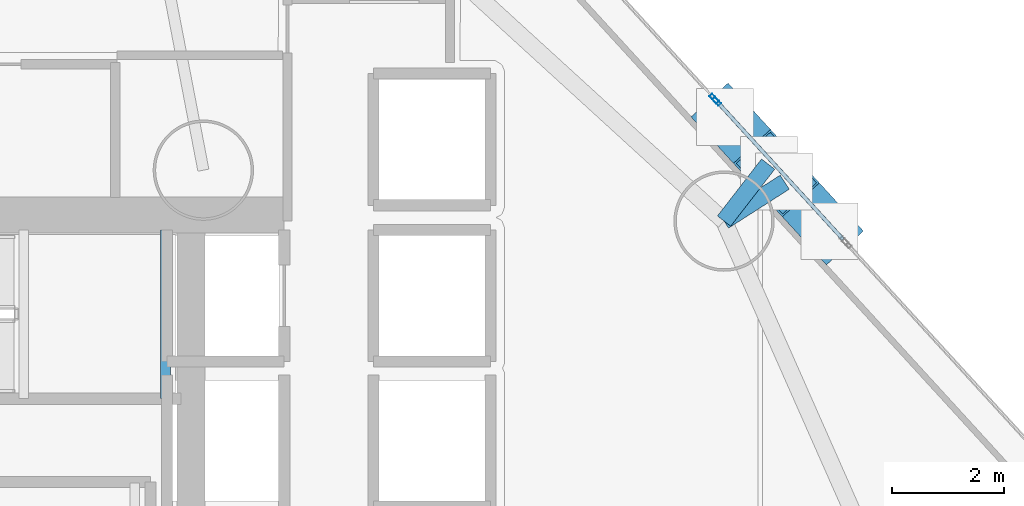
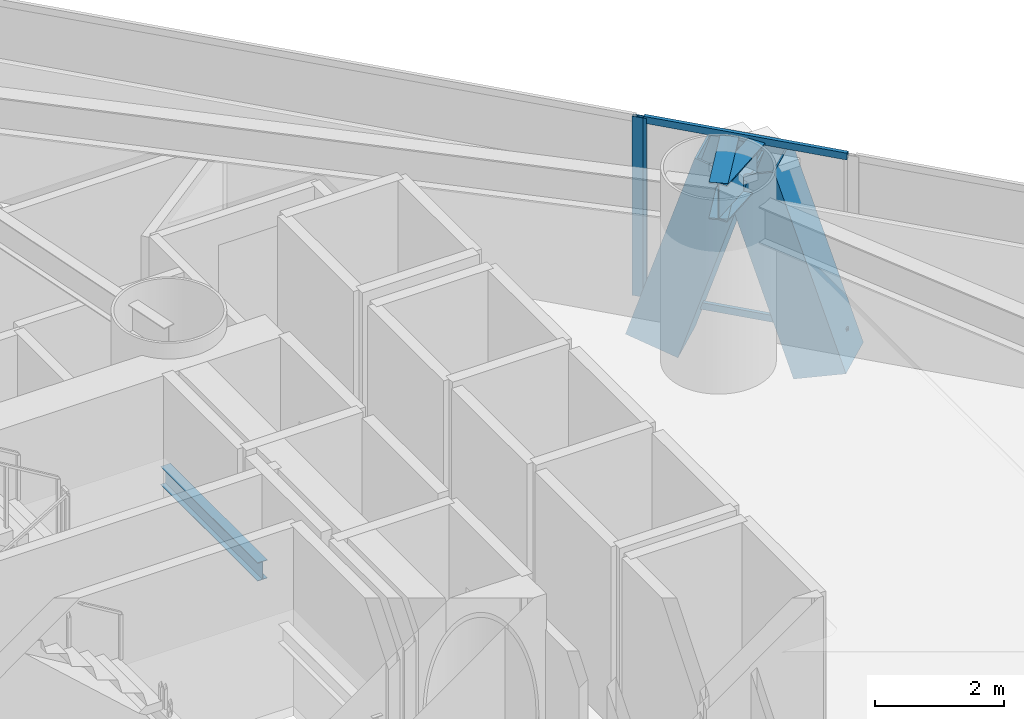
# One storey, part 10 of 22: 6 members, 3 beams, 2 elements without a shape of their own.
"""IFC4 building model written with IfcOpenShell, lengths in metres."""

from ifc_helpers import new_model, si_unit, direction, frame, origin, origin_2d, place, context, subcontext, project, spatial, hollow_rectangle, i_section, extrude, material, layer, layer_set, material_profile, profile_set, type_object, element, aggregate, save


model = new_model("IFC4")

# Units and contexts
model_context = context("Model", 3, precision=1e-05, world=origin(), true_north=direction((0.0, 1.0)))
body_context = subcontext(model_context, "Body", "Model", "MODEL_VIEW")
ifc_project = project(units=[si_unit("LENGTHUNIT", "METRE"), si_unit("AREAUNIT", "SQUARE_METRE"), si_unit("VOLUMEUNIT", "CUBIC_METRE"), si_unit("PLANEANGLEUNIT", "RADIAN"), si_unit("MASSUNIT", "GRAM", prefix="KILO")], contexts=[model_context])

# Site, building, storey
site_placement = place(None, origin())
site = spatial("IfcSite", under=ifc_project, at=site_placement, CompositionType="ELEMENT")
building_placement = place(site_placement, origin())
building = spatial("IfcBuilding", under=site, at=building_placement, Name="Qianvela Tower", CompositionType="ELEMENT")
storey_placement = place(building_placement, frame((0.0, 0.0, 44.199951171875)))
storey = spatial("IfcBuildingStorey", under=building, at=storey_placement, Name="L10", CompositionType="ELEMENT", Elevation=44.199951171875)

# Beams
ifc_material_1 = material(Name="Steel Q355B", Category="steel")
ifc_material_profile_1 = material_profile(ifc_material_1, i_section(OverallWidth=0.175048828125, OverallDepth=0.35009765625, WebThickness=0.007080078125, FlangeThickness=0.010986328125, at=origin_2d()), Name="HN350x175x7x11")
ifc_profile_set_1 = profile_set([ifc_material_profile_1], Name="Steel Q355B")
beam_type_1 = type_object("IfcBeamType", Name="BM-HN350-JOIST", PredefinedType="JOIST", material=ifc_profile_set_1)
beam_placement = place(storey_placement, frame((37.719970703125, 29.4599609375, 1.47509765625), z_axis=(0.0, 1.0, 0.0), x_axis=(-1.0, 0.0, 0.0)))
element("IfcBeam", 1, at=beam_placement, inside=storey, type_object=beam_type_1, Name="L10 Stair ST-1 Landing Support Beam 1.2", PredefinedType="JOIST", context=body_context, shape_type="SweptSolid", body=[
    extrude(i_section(OverallWidth=0.175048828125, OverallDepth=0.35009765625, WebThickness=0.007080078125, FlangeThickness=0.010986328125, at=origin_2d()), origin(), (0.0, 0.0, 1.0), 3.02001953125),
])
ifc_material_2 = material(Name="Steel Q355B", Category="steel")
ifc_material_profile_2 = material_profile(ifc_material_2, i_section(OverallWidth=0.300048828125, OverallDepth=0.699951171875, WebThickness=0.012939453125, FlangeThickness=0.02392578125, at=origin_2d()), Name="HN700x300x13x24")
ifc_profile_set_2 = profile_set([ifc_material_profile_2], Name="Steel Q355B")
beam_type_2 = type_object("IfcBeamType", Name="BM-HN700-SPAND", PredefinedType="SPANDREL", material=ifc_profile_set_2)
for number, where, z_axis, x_axis, name in (
    (2, (47.736083984375, 32.636962890625, 3.048095703125), (0.842055169355, 0.539391408685, 0.0), (-0.539391408685, 0.842055169355, 0.0), "L10 Mega-Brace Column Tie Bracket F1-1"),
    (3, (47.736083984375, 32.636962890625, 3.048095703125), (0.612173192991, 0.790723707614, 0.0), (-0.790723707614, 0.612173192991, 0.0), "L10 Mega-Brace Column Tie Bracket F1-2"),
):
    element("IfcBeam", number, at=place(storey_placement, frame(where, z_axis=z_axis, x_axis=x_axis)), inside=storey, type_object=beam_type_2, Name=name, PredefinedType="SPANDREL", context=body_context, shape_type="SweptSolid", body=[
        extrude(i_section(OverallWidth=0.300048828125, OverallDepth=0.699951171875, WebThickness=0.012939453125, FlangeThickness=0.02392578125, at=origin_2d()), origin(), (0.0, 0.0, 1.0), 1.292236328125),
    ])

# Curtain wall, members
ifc_material_3 = material(Name="Anodised Architectural Aluminium and Insulated Spandrel Panel", Category="aluminium")
ifc_layer_1 = layer(ifc_material_3, 0.179931640625)
ifc_layer_set_1 = layer_set([ifc_layer_1], Name="Anodised Architectural Aluminium and Insulated Spandrel Panel")
curtain_wall_type_1 = type_object("IfcCurtainWallType", Name="CW-BRACEBAY", PredefinedType="USERDEFINED", material=ifc_layer_set_1)
curtain_wall_1_placement = place(storey_placement, origin())
curtain_wall_1 = element("IfcCurtainWall", 4, at=curtain_wall_1_placement, inside=storey, type_object=curtain_wall_type_1, Name="L10 CW-BRACEBAY Curtain Wall 02B", ObjectType="CURTAIN_WALL_SYSTEM", PredefinedType="USERDEFINED")
ifc_material_4 = material(Name="Anodised Architectural Aluminium 6063-T6", Category="aluminium")
ifc_material_profile_3 = material_profile(ifc_material_4, hollow_rectangle(XDim=0.06494140625, YDim=0.159912109375, WallThickness=0.0048828125, at=origin_2d()), Name="ALU-MULL-65x160")
ifc_profile_set_3 = profile_set([ifc_material_profile_3], Name="Anodised Architectural Aluminium 6063-T6")
member_type_1 = type_object("IfcMemberType", Name="CW-BRACEBAY-MULL", PredefinedType="MULLION", material=ifc_profile_set_3)
member_1_placement = place(storey_placement, frame((47.6064453125, 34.7841796875, 0.0), z_axis=(0.0, 0.0, 1.0), x_axis=(-0.737898470457, -0.674911732968, 0.0)))
member_1 = element("IfcMember", 5, at=member_1_placement, type_object=member_type_1, Name="CW-9 mullion 2", PredefinedType="MULLION", context=body_context, shape_type="SweptSolid", body=[
    extrude(hollow_rectangle(XDim=0.06494140625, YDim=0.159912109375, WallThickness=0.0048828125, at=origin_2d()), origin(), (0.0, 0.0, 1.0), 3.400146484375),
])
ifc_material_5 = material(Name="Anodised Architectural Aluminium 6063-T6", Category="aluminium")
ifc_material_profile_4 = material_profile(ifc_material_5, hollow_rectangle(XDim=0.06494140625, YDim=0.1298828125, WallThickness=0.00439453125, at=origin_2d()), Name="ALU-TRAN-65x130")
ifc_profile_set_4 = profile_set([ifc_material_profile_4], Name="Anodised Architectural Aluminium 6063-T6")
member_type_2 = type_object("IfcMemberType", Name="CW-BRACEBAY-TRAN", PredefinedType="USERDEFINED", material=ifc_profile_set_4)
member_2_placement = place(storey_placement, frame((49.869140625, 32.310302734375, 0.032470703125), z_axis=(-0.674895070525, 0.737913710254, 0.0), x_axis=(-0.737913710254, -0.674895070525, 0.0)))
member_2 = element("IfcMember", 6, at=member_2_placement, type_object=member_type_2, Name="CW-9 transom 1.1", ObjectType="TRANSOM", PredefinedType="USERDEFINED", context=body_context, shape_type="SweptSolid", body=[
    extrude(hollow_rectangle(XDim=0.06494140625, YDim=0.1298828125, WallThickness=0.00439453125, at=origin_2d()), origin(), (0.0, 0.0, 1.0), 3.320068359375),
])
member_3_placement = place(storey_placement, frame((49.869140625, 32.310302734375, 3.367431640625), z_axis=(-0.674895070525, 0.737913710254, 0.0), x_axis=(-0.737913710254, -0.674895070525, 0.0)))
member_3 = element("IfcMember", 7, at=member_3_placement, type_object=member_type_2, Name="CW-9 transom 1.2", ObjectType="TRANSOM", PredefinedType="USERDEFINED", context=body_context, shape_type="SweptSolid", body=[
    extrude(hollow_rectangle(XDim=0.06494140625, YDim=0.1298828125, WallThickness=0.00439453125, at=origin_2d()), origin(), (0.0, 0.0, 1.0), 3.320068359375),
])
aggregate(curtain_wall_1, [member_1, member_2, member_3])

# Curtain wall, member
ifc_material_6 = material(Name="Anodised Architectural Aluminium and Low-E Glass", Category="aluminium")
ifc_layer_2 = layer(ifc_material_6, 0.179931640625)
ifc_layer_set_2 = layer_set([ifc_layer_2], Name="Anodised Architectural Aluminium and Low-E Glass")
curtain_wall_type_2 = type_object("IfcCurtainWallType", Name="CW-COLIV-Z12", PredefinedType="USERDEFINED", material=ifc_layer_set_2)
curtain_wall_2_placement = place(storey_placement, origin())
curtain_wall_2 = element("IfcCurtainWall", 8, at=curtain_wall_2_placement, inside=storey, type_object=curtain_wall_type_2, Name="L10 CW-COLIV-Z12 Curtain Wall 02C", ObjectType="CURTAIN_WALL_SYSTEM", PredefinedType="USERDEFINED")
ifc_material_7 = material(Name="Anodised Architectural Aluminium 6063-T6", Category="aluminium")
ifc_material_profile_5 = material_profile(ifc_material_7, hollow_rectangle(XDim=0.070068359375, YDim=0.179931640625, WallThickness=0.0048828125, at=origin_2d()), Name="ALU-MULL-70x180")
ifc_profile_set_5 = profile_set([ifc_material_profile_5], Name="Anodised Architectural Aluminium 6063-T6")
member_type_3 = type_object("IfcMemberType", Name="CW-COLIV-Z12-MULL", PredefinedType="MULLION", material=ifc_profile_set_5)
member_4_placement = place(storey_placement, frame((47.560791015625, 34.833984375, 0.0), z_axis=(0.0, 0.0, 1.0), x_axis=(-0.737899751692, -0.674910332157, 0.0)))
member_4 = element("IfcMember", 9, at=member_4_placement, type_object=member_type_3, Name="CW-3 mullion 1", PredefinedType="MULLION", context=body_context, shape_type="SweptSolid", body=[
    extrude(hollow_rectangle(XDim=0.070068359375, YDim=0.179931640625, WallThickness=0.0048828125, at=origin_2d()), origin(), (0.0, 0.0, 1.0), 3.400146484375),
])
aggregate(curtain_wall_2, [member_4])

# Members
ifc_material_8 = material(Name="Steel Q420GJC", Category="steel")
ifc_material_profile_6 = material_profile(ifc_material_8, hollow_rectangle(XDim=0.89990234375, YDim=0.89990234375, WallThickness=0.035888671875, at=origin_2d()), Name="MBOX-900x900x36")
ifc_profile_set_6 = profile_set([ifc_material_profile_6], Name="Steel Q420GJC")
member_type_4 = type_object("IfcMemberType", Name="MBR-MBRACE-900", PredefinedType="BRACE", material=ifc_profile_set_6)
member_5_placement = place(storey_placement, frame((49.61474609375, 32.4697265625, -0.531982421875), z_axis=(-0.209866701154, 0.229440433009, 0.950427827585), x_axis=(-0.73788050369, -0.674931375974, 0.0)))
element("IfcMember", 10, at=member_5_placement, inside=storey, type_object=member_type_4, Name="L10 Tier 1 Exterior Mega-Brace F1A", PredefinedType="BRACE", context=body_context, shape_type="SweptSolid", body=[
    extrude(hollow_rectangle(XDim=0.89990234375, YDim=0.89990234375, WallThickness=0.035888671875, at=origin_2d()), origin(), (0.0, 0.0, 1.0), 3.766845703125),
])
member_6_placement = place(storey_placement, frame((47.765625, 34.49169921875, -0.531982421875), z_axis=(0.202856564321, -0.221912984117, 0.953731535492), x_axis=(0.738087289966, 0.674705233706, 0.0)))
element("IfcMember", 11, at=member_6_placement, inside=storey, type_object=member_type_4, Name="L10 Tier 1 Exterior Mega-Brace F1B", PredefinedType="BRACE", context=body_context, shape_type="SweptSolid", body=[
    extrude(hollow_rectangle(XDim=0.89990234375, YDim=0.89990234375, WallThickness=0.035888671875, at=origin_2d()), origin(), (0.0, 0.0, 1.0), 3.753662109375),
])

save(model, "model.ifc")
